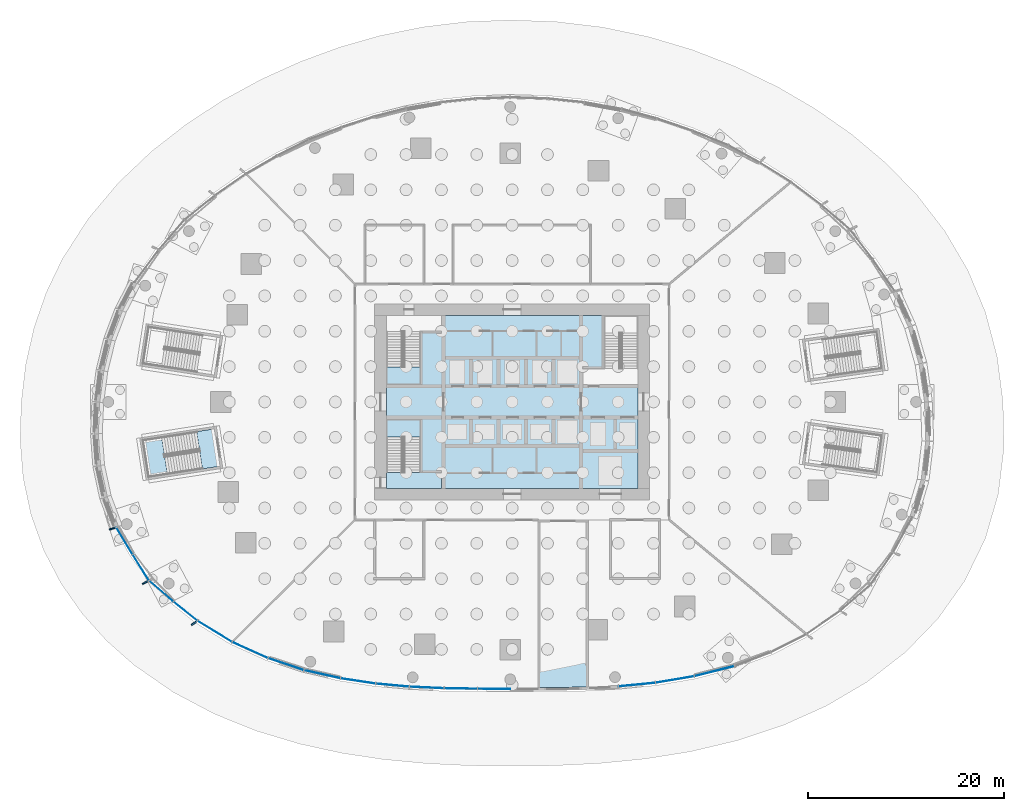
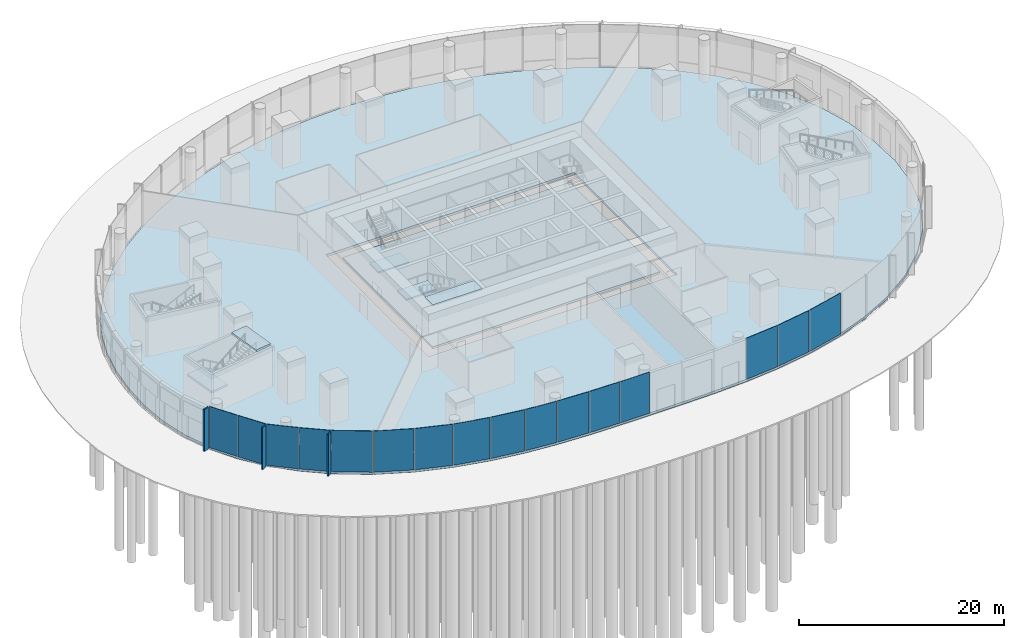
# One storey, part 9 of 29: 19 plates, 7 slabs, 8 elements without a shape of their own.
"""IFC4 building model written with IfcOpenShell, lengths in metres."""

from ifc_helpers import new_model, si_unit, direction, frame, origin, origin_2d, place, context, subcontext, project, spatial, polyline, rectangle, outline, extrude, material, layer, layer_set, type_object, element, aggregate, save


model = new_model("IFC4")

# Units and contexts
model_context = context("Model", 3, precision=1e-05, world=origin(), true_north=direction((0.0, 1.0)))
body_context = subcontext(model_context, "Body", "Model", "MODEL_VIEW")
ifc_project = project(units=[si_unit("LENGTHUNIT", "METRE"), si_unit("AREAUNIT", "SQUARE_METRE"), si_unit("VOLUMEUNIT", "CUBIC_METRE"), si_unit("PLANEANGLEUNIT", "RADIAN"), si_unit("MASSUNIT", "GRAM", prefix="KILO")], contexts=[model_context])

# Site, building, storey
site_placement = place(None, origin())
site = spatial("IfcSite", under=ifc_project, at=site_placement, CompositionType="ELEMENT")
building_placement = place(site_placement, origin())
building = spatial("IfcBuilding", under=site, at=building_placement, Name="Ghaith Harvest Tower", CompositionType="ELEMENT")
storey_placement = place(building_placement, origin())
storey = spatial("IfcBuildingStorey", under=building, at=storey_placement, Name="L00", CompositionType="ELEMENT", Elevation=0.0)

# Curtain wall, plates
ifc_material_1 = material(Name="Black anodised aluminium and fritted glass", Category="aluminium")
curtain_wall_type = type_object("IfcCurtainWallType", Name="CW-P CURTAIN WALL", PredefinedType="NOTDEFINED", material=ifc_material_1)
curtain_wall_1_placement = place(storey_placement, origin())
curtain_wall_1 = element("IfcCurtainWall", 1, at=curtain_wall_1_placement, inside=storey, type_object=curtain_wall_type, Name="Curtain wall CW-P bay 12 L00", PredefinedType="NOTDEFINED")
ifc_material_2 = material(Name="Glass, dark solar-control fritted double glazed unit", Category="glass")
ifc_layer_1 = layer(ifc_material_2, 0.035888671875)
ifc_layer_set_1 = layer_set([ifc_layer_1], Name="CW-P VISION PANEL")
plate_type_1 = type_object("IfcPlateType", Name="CW-P VISION PANEL", PredefinedType="CURTAIN_PANEL", material=ifc_layer_set_1)
plate_1_placement = place(storey_placement, frame((-39.48046875, -14.154541015625, 0.080078125), z_axis=(0.0, 0.0, 1.0), x_axis=(0.516091070948, -0.856533715908, 0.0)))
plate_1 = element("IfcPlate", 2, at=plate_1_placement, type_object=plate_type_1, Name="CW-P glass unit 1 bay 12 L00", PredefinedType="CURTAIN_PANEL", context=body_context, shape_type="SweptSolid", body=[
    extrude(rectangle(XDim=3.140380859375, YDim=0.035888671875, at=origin_2d()), origin(), (0.0, 0.0, 1.0), 4.919921875),
])
plate_2_placement = place(storey_placement, frame((-37.8154296875, -16.868408203125, 0.080078125), z_axis=(0.0, 0.0, 1.0), x_axis=(0.530000681574, -0.847997215521, 0.0)))
plate_2 = element("IfcPlate", 3, at=plate_2_placement, type_object=plate_type_1, Name="CW-P glass unit 2 bay 12 L00", PredefinedType="CURTAIN_PANEL", context=body_context, shape_type="SweptSolid", body=[
    extrude(rectangle(XDim=3.067626953125, YDim=0.035888671875, at=origin_2d()), origin(), (0.0, 0.0, 1.0), 4.919921875),
])
plate_3_placement = place(storey_placement, frame((-35.742919921875, -19.271484375, 0.080078125), z_axis=(0.0, 0.0, 1.0), x_axis=(0.757045598065, -0.653362045463, 0.0)))
plate_3 = element("IfcPlate", 4, at=plate_3_placement, type_object=plate_type_1, Name="CW-P glass unit 3 bay 12 L00", PredefinedType="CURTAIN_PANEL", context=body_context, shape_type="SweptSolid", body=[
    extrude(rectangle(XDim=3.191162109375, YDim=0.035888671875, at=origin_2d()), origin(), (0.0, 0.0, 1.0), 4.919921875),
])
plate_4_placement = place(storey_placement, frame((-33.2763671875, -21.319580078125, 0.080078125), z_axis=(0.0, 0.0, 1.0), x_axis=(0.781908657767, -0.623393014806, 0.0)))
plate_4 = element("IfcPlate", 5, at=plate_4_placement, type_object=plate_type_1, Name="CW-P glass unit 4 bay 12 L00", PredefinedType="CURTAIN_PANEL", context=body_context, shape_type="SweptSolid", body=[
    extrude(rectangle(XDim=3.062255859375, YDim=0.035888671875, at=origin_2d()), origin(), (0.0, 0.0, 1.0), 4.919921875),
])
aggregate(curtain_wall_1, [plate_1, plate_2, plate_3, plate_4])

curtain_wall_2_placement = place(storey_placement, origin())
curtain_wall_2 = element("IfcCurtainWall", 6, at=curtain_wall_2_placement, inside=storey, type_object=curtain_wall_type, Name="Curtain wall CW-P bay 13 L00", PredefinedType="NOTDEFINED")
plate_5_placement = place(storey_placement, frame((-30.283447265625, -23.375244140625, 0.080078125), z_axis=(0.0, 0.0, 1.0), x_axis=(0.853734681529, -0.520708261462, 0.0)))
plate_5 = element("IfcPlate", 7, at=plate_5_placement, type_object=plate_type_1, Name="CW-P glass unit 1 bay 13 L00", PredefinedType="CURTAIN_PANEL", context=body_context, shape_type="SweptSolid", body=[
    extrude(rectangle(XDim=4.053466796875, YDim=0.035888671875, at=origin_2d()), origin(), (0.0, 0.0, 1.0), 4.919921875),
])
plate_6_placement = place(storey_placement, frame((-26.690185546875, -25.273681640625, 0.080078125), z_axis=(0.0, 0.0, 1.0), x_axis=(0.912066560722, -0.41004217931, 0.0)))
plate_6 = element("IfcPlate", 8, at=plate_6_placement, type_object=plate_type_1, Name="CW-P glass unit 2 bay 13 L00", PredefinedType="CURTAIN_PANEL", context=body_context, shape_type="SweptSolid", body=[
    extrude(rectangle(XDim=3.929931640625, YDim=0.035888671875, at=origin_2d()), origin(), (0.0, 0.0, 1.0), 4.919921875),
])
plate_7_placement = place(storey_placement, frame((-23.03857421875, -26.706787109375, 0.080078125), z_axis=(0.0, 0.0, 1.0), x_axis=(0.94815923205, -0.317795642949, 0.0)))
plate_7 = element("IfcPlate", 9, at=plate_7_placement, type_object=plate_type_1, Name="CW-P glass unit 3 bay 13 L00", PredefinedType="CURTAIN_PANEL", context=body_context, shape_type="SweptSolid", body=[
    extrude(rectangle(XDim=3.76513671875, YDim=0.035888671875, at=origin_2d()), origin(), (0.0, 0.0, 1.0), 4.919921875),
])
aggregate(curtain_wall_2, [plate_5, plate_6, plate_7])

curtain_wall_3_placement = place(storey_placement, origin())
curtain_wall_3 = element("IfcCurtainWall", 10, at=curtain_wall_3_placement, inside=storey, type_object=curtain_wall_type, Name="Curtain wall CW-P bay 14 L00", PredefinedType="NOTDEFINED")
plate_8_placement = place(storey_placement, frame((-19.347900390625, -27.73193359375, 0.080078125), z_axis=(0.0, 0.0, 1.0), x_axis=(0.976277299195, -0.216523982684, 0.0)))
plate_8 = element("IfcPlate", 11, at=plate_8_placement, type_object=plate_type_1, Name="CW-P glass unit 1 bay 14 L00", PredefinedType="CURTAIN_PANEL", context=body_context, shape_type="SweptSolid", body=[
    extrude(rectangle(XDim=3.74658203125, YDim=0.035888671875, at=origin_2d()), origin(), (0.0, 0.0, 1.0), 4.919921875),
])
plate_9_placement = place(storey_placement, frame((-15.689697265625, -28.416748046875, 0.080078125), z_axis=(0.0, 0.0, 1.0), x_axis=(0.988773912704, -0.149419374769, 0.0)))
plate_9 = element("IfcPlate", 12, at=plate_9_placement, type_object=plate_type_1, Name="CW-P glass unit 2 bay 14 L00", PredefinedType="CURTAIN_PANEL", context=body_context, shape_type="SweptSolid", body=[
    extrude(rectangle(XDim=3.541748046875, YDim=0.035888671875, at=origin_2d()), origin(), (0.0, 0.0, 1.0), 4.919921875),
])
plate_10_placement = place(storey_placement, frame((-12.1865234375, -28.843505859375, 0.080078125), z_axis=(0.0, 0.0, 1.0), x_axis=(0.995868378724, -0.090808437148, 0.0)))
plate_10 = element("IfcPlate", 13, at=plate_10_placement, type_object=plate_type_1, Name="CW-P glass unit 3 bay 14 L00", PredefinedType="CURTAIN_PANEL", context=body_context, shape_type="SweptSolid", body=[
    extrude(rectangle(XDim=3.359375, YDim=0.035888671875, at=origin_2d()), origin(), (0.0, 0.0, 1.0), 4.919921875),
])
aggregate(curtain_wall_3, [plate_8, plate_9, plate_10])

curtain_wall_4_placement = place(storey_placement, origin())
curtain_wall_4 = element("IfcCurtainWall", 14, at=curtain_wall_4_placement, inside=storey, type_object=curtain_wall_type, Name="Curtain wall CW-P bay 15 L00", PredefinedType="NOTDEFINED")
plate_11_placement = place(storey_placement, frame((-8.70263671875, -29.081298828125, 0.080078125), z_axis=(0.0, 0.0, 1.0), x_axis=(0.998938820925, -0.046056834987, 0.0)))
plate_11 = element("IfcPlate", 15, at=plate_11_placement, type_object=plate_type_1, Name="CW-P glass unit 1 bay 15 L00", PredefinedType="CURTAIN_PANEL", context=body_context, shape_type="SweptSolid", body=[
    extrude(rectangle(XDim=3.466552734375, YDim=0.035888671875, at=origin_2d()), origin(), (0.0, 0.0, 1.0), 4.919921875),
])
plate_12_placement = place(storey_placement, frame((-5.228515625, -29.18994140625, 0.080078125), z_axis=(0.0, 0.0, 1.0), x_axis=(0.999875064509, -0.01580681412, 0.0)))
plate_12 = element("IfcPlate", 16, at=plate_12_placement, type_object=plate_type_1, Name="CW-P glass unit 2 bay 15 L00", PredefinedType="CURTAIN_PANEL", context=body_context, shape_type="SweptSolid", body=[
    extrude(rectangle(XDim=3.325927734375, YDim=0.035888671875, at=origin_2d()), origin(), (0.0, 0.0, 1.0), 4.919921875),
])
plate_13_placement = place(storey_placement, frame((-1.843017578125, -29.218505859375, 0.080078125), z_axis=(0.0, 0.0, 1.0), x_axis=(0.999999515616, -0.00098425958, 0.0)))
plate_13 = element("IfcPlate", 17, at=plate_13_placement, type_object=plate_type_1, Name="CW-P glass unit 3 bay 15 L00", PredefinedType="CURTAIN_PANEL", context=body_context, shape_type="SweptSolid", body=[
    extrude(rectangle(XDim=3.28564453125, YDim=0.035888671875, at=origin_2d()), origin(), (0.0, 0.0, 1.0), 4.919921875),
])
aggregate(curtain_wall_4, [plate_11, plate_12, plate_13])

curtain_wall_5_placement = place(storey_placement, origin())
curtain_wall_5 = element("IfcCurtainWall", 18, at=curtain_wall_5_placement, inside=storey, type_object=curtain_wall_type, Name="Curtain wall CW-P bay 17 L00", PredefinedType="NOTDEFINED")
plate_14_placement = place(storey_placement, frame((12.71630859375, -28.78759765625, 0.080078125), z_axis=(0.0, 0.0, 1.0), x_axis=(0.995092549283, 0.098948564221, 0.0)))
plate_14 = element("IfcPlate", 19, at=plate_14_placement, type_object=plate_type_1, Name="CW-P glass unit 1 bay 17 L00", PredefinedType="CURTAIN_PANEL", context=body_context, shape_type="SweptSolid", body=[
    extrude(rectangle(XDim=3.70751953125, YDim=0.035888671875, at=origin_2d()), origin(), (0.0, 0.0, 1.0), 4.919921875),
])
plate_15_placement = place(storey_placement, frame((16.5771484375, -28.2666015625, 0.080078125), z_axis=(0.0, 0.0, 1.0), x_axis=(0.986061908364, 0.166378823395, 0.0)))
plate_15 = element("IfcPlate", 20, at=plate_15_placement, type_object=plate_type_1, Name="CW-P glass unit 2 bay 17 L00", PredefinedType="CURTAIN_PANEL", context=body_context, shape_type="SweptSolid", body=[
    extrude(rectangle(XDim=3.928466796875, YDim=0.035888671875, at=origin_2d()), origin(), (0.0, 0.0, 1.0), 4.919921875),
])
plate_16_placement = place(storey_placement, frame((20.61669921875, -27.414306640625, 0.080078125), z_axis=(0.0, 0.0, 1.0), x_axis=(0.969784618227, 0.243962690283, 0.0)))
plate_16 = element("IfcPlate", 21, at=plate_16_placement, type_object=plate_type_1, Name="CW-P glass unit 3 bay 17 L00", PredefinedType="CURTAIN_PANEL", context=body_context, shape_type="SweptSolid", body=[
    extrude(rectangle(XDim=4.175048828125, YDim=0.035888671875, at=origin_2d()), origin(), (0.0, 0.0, 1.0), 4.919921875),
])
aggregate(curtain_wall_5, [plate_14, plate_15, plate_16])

# Slabs
ifc_material_3 = material(Name="Concrete C40/50", Category="concrete")
ifc_layer_2 = layer(ifc_material_3, 0.25)
ifc_layer_set_2 = layer_set([ifc_layer_2], Name="FLOOR SLAB 250")
slab_type_1 = type_object("IfcSlabType", Name="FLOOR SLAB 250", PredefinedType="FLOOR", material=ifc_layer_set_2)
slab_1_placement = place(storey_placement, frame((0.0, 0.0, -0.25)))
element("IfcSlab", 22, at=slab_1_placement, inside=storey, type_object=slab_type_1, Name="Core slab L00", PredefinedType="FLOOR", context=body_context, shape_type="SweptSolid", body=[
    extrude(outline(polyline([(-12.800048828125, -8.800048828125), (-12.800048828125, 8.800048828125), (12.800048828125, 8.800048828125), (12.800048828125, -8.800048828125), (-12.800048828125, -8.800048828125)])), origin(), (0.0, 0.0, 1.0), 0.25),
])
ifc_material_4 = material(Name="Concrete C40/50", Category="concrete")
ifc_layer_3 = layer(ifc_material_4, 0.300048828125)
ifc_layer_set_3 = layer_set([ifc_layer_3], Name="FLOOR SLAB 300")
slab_type_2 = type_object("IfcSlabType", Name="FLOOR SLAB 300", PredefinedType="FLOOR", material=ifc_layer_set_3)
slab_2_placement = place(storey_placement, frame((0.0, 0.0, -0.300048828125)))
element("IfcSlab", 23, at=slab_2_placement, inside=storey, type_object=slab_type_2, Name="Floor slab L00", PredefinedType="FLOOR", context=body_context, shape_type="SweptSolid", body=[
    extrude(outline(polyline([(42.0, 0.0), (41.43310546875, 3.897216796875), (40.3486328125, 7.658203125), (38.736572265625, 11.19580078125), (36.625732421875, 14.47998046875), (34.138671875, 17.4111328125), (31.389404296875, 19.9765625), (28.29345703125, 22.319580078125), (25.11083984375, 24.3037109375), (21.901123046875, 25.9716796875), (18.281005859375, 27.522705078125), (14.681396484375, 28.758056640625), (11.103271484375, 29.701171875), (7.317138671875, 30.397705078125), (3.546875, 30.789794921875), (-0.21142578125, 30.899658203125), (-3.714111328125, 30.778564453125), (-7.227783203125, 30.410400390625), (-10.755126953125, 29.778076171875), (-14.027099609375, 28.951416015625), (-17.31640625, 27.882568359375), (-20.624267578125, 26.55615234375), (-23.8251953125, 25.008056640625), (-27.0146484375, 23.16162109375), (-30.145751953125, 20.9755859375), (-33.12451171875, 18.423095703125), (-35.857421875, 15.46728515625), (-38.212890625, 12.1103515625), (-39.67919921875, 9.298095703125), (-40.8056640625, 6.311279296875), (-41.57275390625, 3.196044921875), (-42.0, 0.0), (-42.145751953125, -3.239990234375), (-41.908203125, -6.48193359375), (-41.22509765625, -9.660400390625), (-40.082763671875, -12.702880859375), (-38.5380859375, -15.489013671875), (-36.622314453125, -18.0263671875), (-34.4013671875, -20.279296875), (-31.94921875, -22.230712890625), (-28.427978515625, -24.373291015625), (-24.77880859375, -26.0087890625), (-21.123779296875, -27.19921875), (-17.416748046875, -28.044189453125), (-13.8466796875, -28.579345703125), (-10.43310546875, -28.88671875), (-6.903564453125, -29.046142578125), (-3.511474609375, -29.09765625), (-0.19921875, -29.10009765625), (3.351806640625, -29.098388671875), (6.9912109375, -29.043701171875), (10.789794921875, -28.862548828125), (14.54638671875, -28.493408203125), (18.487060546875, -27.833251953125), (22.576904296875, -26.77294921875), (26.25244140625, -25.40869140625), (29.87744140625, -23.5693359375), (33.314208984375, -21.201416015625), (36.223876953125, -18.474609375), (38.668212890625, -15.287353515625), (40.513427734375, -11.709228515625), (41.6611328125, -7.9072265625), (42.129150390625, -3.962646484375), (42.0, 0.0)]), holes=[polyline([(-14.0, -10.0), (14.0, -10.0), (14.0, 10.0), (-14.0, 10.0), (-14.0, -10.0)])]), origin(), (0.0, 0.0, 1.0), 0.300048828125),
])

# Stair, slab
ifc_material_5 = material(Name="Concrete C40/50, precast", Category="concrete")
stair_type_1 = type_object("IfcStairType", Name="CORE STAIR 28R", PredefinedType="HALF_TURN_STAIR", material=ifc_material_5)
stair_1_placement = place(storey_placement, origin())
stair_1 = element("IfcStair", 24, at=stair_1_placement, inside=storey, type_object=stair_type_1, Name="Stair ST1 L00", PredefinedType="HALF_TURN_STAIR")
ifc_material_6 = material(Name="Concrete C40/50, precast", Category="concrete")
ifc_layer_4 = layer(ifc_material_6, 0.179931640625)
ifc_layer_set_4 = layer_set([ifc_layer_4], Name="STAIR LANDING 180")
slab_type_3 = type_object("IfcSlabType", Name="STAIR LANDING 180", PredefinedType="LANDING", material=ifc_layer_set_4)
slab_3_placement = place(storey_placement, frame((0.0, 0.0, 2.320068359375)))
slab_3 = element("IfcSlab", 25, at=slab_3_placement, type_object=slab_type_3, Name="ST1 landing 1", PredefinedType="LANDING", context=body_context, shape_type="SweptSolid", body=[
    extrude(outline(polyline([(-12.800048828125, 3.580078125), (-12.800048828125, 1.800048828125), (-9.35009765625, 1.800048828125), (-9.35009765625, 3.580078125), (-12.800048828125, 3.580078125)])), origin(), (0.0, 0.0, 1.0), 0.179931640625),
])
aggregate(stair_1, [slab_3])

# Stair, slabs
stair_2_placement = place(storey_placement, origin())
stair_2 = element("IfcStair", 26, at=stair_2_placement, inside=storey, type_object=stair_type_1, Name="Stair ST3 L00", PredefinedType="HALF_TURN_STAIR")
slab_4_placement = place(storey_placement, frame((0.0, 0.0, 2.320068359375)))
slab_4 = element("IfcSlab", 27, at=slab_4_placement, type_object=slab_type_3, Name="ST3 landing 1", PredefinedType="LANDING", context=body_context, shape_type="SweptSolid", body=[
    extrude(outline(polyline([(-12.800048828125, -3.580078125), (-12.800048828125, -1.800048828125), (-9.35009765625, -1.800048828125), (-9.35009765625, -3.580078125), (-12.800048828125, -3.580078125)])), origin(), (0.0, 0.0, 1.0), 0.179931640625),
])
slab_5_placement = place(storey_placement, frame((0.0, 0.0, 4.820068359375)))
slab_5 = element("IfcSlab", 28, at=slab_5_placement, type_object=slab_type_3, Name="ST3 landing 2", PredefinedType="LANDING", context=body_context, shape_type="SweptSolid", body=[
    extrude(outline(polyline([(-12.800048828125, -8.800048828125), (-12.800048828125, -7.199951171875), (-7.199951171875, -7.199951171875), (-7.199951171875, -8.800048828125), (-12.800048828125, -8.800048828125)])), origin(), (0.0, 0.0, 1.0), 0.179931640625),
])
aggregate(stair_2, [slab_4, slab_5])

ifc_material_7 = material(Name="Concrete C40/50, precast", Category="concrete")
stair_type_2 = type_object("IfcStairType", Name="PODIUM STAIR 28R", PredefinedType="HALF_TURN_STAIR", material=ifc_material_7)
stair_3_placement = place(storey_placement, origin())
stair_3 = element("IfcStair", 29, at=stair_3_placement, inside=storey, type_object=stair_type_2, Name="Stair PS3 L00", PredefinedType="HALF_TURN_STAIR")
ifc_material_8 = material(Name="Concrete C40/50, precast", Category="concrete")
ifc_layer_5 = layer(ifc_material_8, 0.25)
ifc_layer_set_5 = layer_set([ifc_layer_5], Name="STAIR LANDING 250")
slab_type_4 = type_object("IfcSlabType", Name="STAIR LANDING 250", PredefinedType="LANDING", material=ifc_layer_set_5)
slab_6_placement = place(storey_placement, frame((0.0, 0.0, 2.25)))
slab_6 = element("IfcSlab", 30, at=slab_6_placement, type_object=slab_type_4, Name="PS3 landing 1", PredefinedType="LANDING", context=body_context, shape_type="SweptSolid", body=[
    extrude(outline(polyline([(-35.693359375, -3.57275390625), (-37.650146484375, -3.87548828125), (-37.0615234375, -7.68017578125), (-35.10498046875, -7.37744140625), (-35.693359375, -3.57275390625)])), origin(), (0.0, 0.0, 1.0), 0.25),
])
slab_7_placement = place(storey_placement, frame((0.0, 0.0, 4.75)))
slab_7 = element("IfcSlab", 31, at=slab_7_placement, type_object=slab_type_4, Name="PS3 landing 2", PredefinedType="LANDING", context=body_context, shape_type="SweptSolid", body=[
    extrude(outline(polyline([(-30.3369140625, -2.744384765625), (-32.135498046875, -3.0224609375), (-31.547119140625, -6.8271484375), (-29.74853515625, -6.549072265625), (-30.3369140625, -2.744384765625)])), origin(), (0.0, 0.0, 1.0), 0.25),
])
aggregate(stair_3, [slab_6, slab_7])

# Plates
ifc_material_9 = material(Name="Glassfibre-reinforced concrete", Category="concrete")
ifc_layer_6 = layer(ifc_material_9, 0.14990234375)
ifc_layer_set_6 = layer_set([ifc_layer_6], Name="SUN-BREAKER FIN 600x150")
plate_type_2 = type_object("IfcPlateType", Name="SUN-BREAKER FIN 600x150", PredefinedType="USERDEFINED", material=ifc_layer_set_6)
for number, where, z_axis, x_axis, name in (
    (32, (-40.740478515625, -12.911376953125, 0.0), (0.0, 0.0, 1.0), (-0.953273219416, -0.302109531701, 0.0), "Sun-breaker fin CW-P 1 bay 12 L00"),
    (33, (-37.385009765625, -18.401611328125, 0.0), (0.0, 0.0, 1.0), (-0.897201221415, -0.441621974421, 0.0), "Sun-breaker fin CW-P 3 bay 12 L00"),
    (34, (-32.417236328125, -22.55615234375, 0.0), (0.0, 0.0, 1.0), (-0.820845486622, -0.571150319173, 0.0), "Sun-breaker fin CW-P 1 bay 13 L00"),
):
    element("IfcPlate", number, at=place(storey_placement, frame(where, z_axis=z_axis, x_axis=x_axis)), inside=storey, type_object=plate_type_2, Name=name, ObjectType="SUN-BREAKER FIN", PredefinedType="USERDEFINED", context=body_context, shape_type="SweptSolid", body=[
        extrude(rectangle(XDim=0.60009765625, YDim=0.14990234375, at=origin_2d()), origin(), (0.0, 0.0, 1.0), 5.0),
    ])

save(model, "model.ifc")
